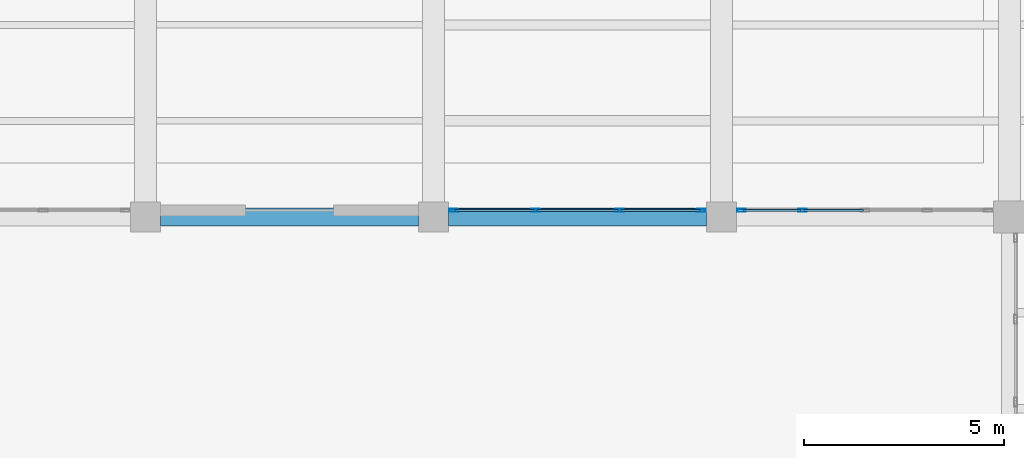
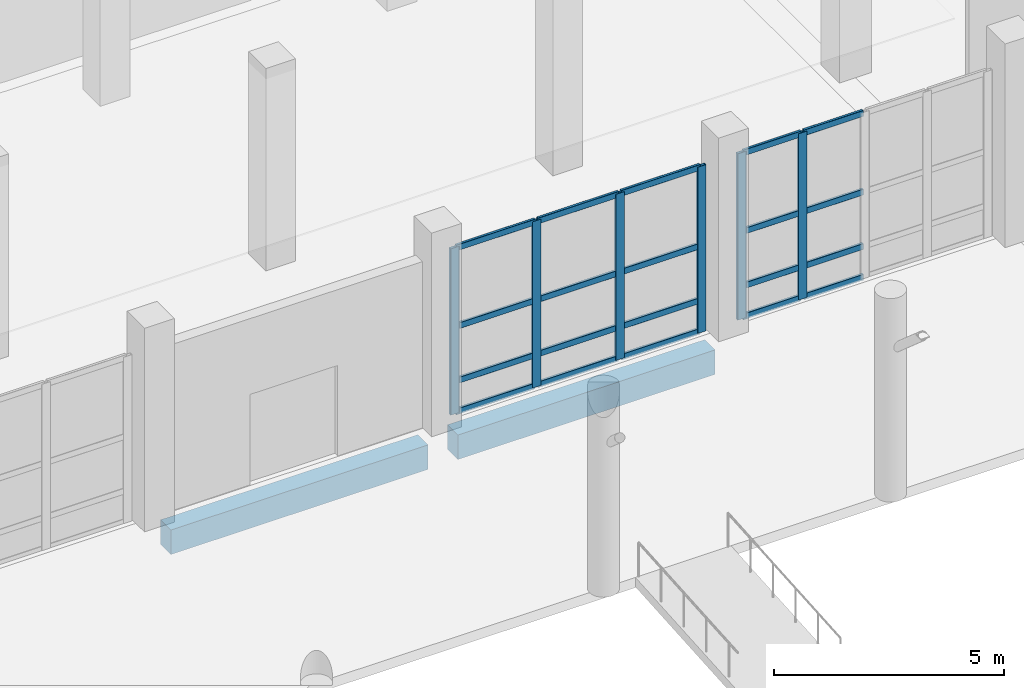
# One storey, part 31 of 137: 26 members, 2 beams, 2 elements without a shape of their own.
"""IFC4 building model written with IfcOpenShell, lengths in metres."""

from ifc_helpers import new_model, si_unit, direction, frame, origin, origin_2d, place, context, subcontext, project, spatial, rectangle, hollow_rectangle, extrude, material, material_profile, profile_set, type_object, element, aggregate, save


model = new_model("IFC4")

# Units and contexts
model_context = context("Model", 3, precision=1e-05, world=origin(), true_north=direction((0.0, 1.0)))
body_context = subcontext(model_context, "Body", "Model", "MODEL_VIEW")
ifc_project = project(units=[si_unit("LENGTHUNIT", "METRE"), si_unit("AREAUNIT", "SQUARE_METRE"), si_unit("VOLUMEUNIT", "CUBIC_METRE"), si_unit("PLANEANGLEUNIT", "RADIAN"), si_unit("MASSUNIT", "GRAM", prefix="KILO")], contexts=[model_context])

# Site, building, storey
site_placement = place(None, origin())
site = spatial("IfcSite", under=ifc_project, at=site_placement, CompositionType="ELEMENT")
building_placement = place(site_placement, origin())
building = spatial("IfcBuilding", under=site, at=building_placement, Name="Kalmorath City Hall", CompositionType="ELEMENT")
storey_placement = place(building_placement, origin())
storey = spatial("IfcBuildingStorey", under=building, at=storey_placement, Name="L00", CompositionType="ELEMENT", Elevation=0.0)

# Beams
ifc_material_1 = material(Name="Concrete C40/50", Category="concrete")
ifc_material_profile_1 = material_profile(ifc_material_1, rectangle(XDim=0.449951171875, YDim=0.64990234375, at=origin_2d()), Name="RC-BM-450X650")
ifc_profile_set_1 = profile_set([ifc_material_profile_1], Name="Concrete C40/50")
beam_type = type_object("IfcBeamType", Name="Concrete spandrel beam 450x650", PredefinedType="SPANDREL", material=ifc_profile_set_1)
for number, where, z_axis, x_axis, name in (
    (1, (93.97509765625, 21.60009765625, -0.62890625), (1.0, 0.0, 0.0), (0.0, 1.0, 0.0), "L00 girder CB5 X14-15/4"),
    (2, (101.175048828125, 21.60009765625, -0.62890625), (1.0, 0.0, 0.0), (0.0, 1.0, 0.0), "L00 girder CB5 X15-16/4"),
):
    element("IfcBeam", number, at=place(storey_placement, frame(where, z_axis=z_axis, x_axis=x_axis)), inside=storey, type_object=beam_type, Name=name, PredefinedType="SPANDREL", context=body_context, shape_type="SweptSolid", body=[
        extrude(rectangle(XDim=0.449951171875, YDim=0.64990234375, at=origin_2d()), origin(), (0.0, 0.0, 1.0), 6.449951171875),
    ])

# Curtain wall, members
ifc_material_2 = material(Name="Anodised aluminium and laminated glass", Category="aluminium")
curtain_wall_type_1 = type_object("IfcCurtainWallType", Name="Unitised hurricane curtain wall 6245x4411 M1500", PredefinedType="NOTDEFINED", material=ifc_material_2)
curtain_wall_1_placement = place(storey_placement, origin())
curtain_wall_1 = element("IfcCurtainWall", 3, at=curtain_wall_1_placement, inside=storey, type_object=curtain_wall_type_1, Name="L00 curtain wall CW-62X44M15 #18", PredefinedType="NOTDEFINED")
ifc_material_3 = material(Name="Anodised aluminium framing", Category="aluminium")
ifc_material_profile_2 = material_profile(ifc_material_3, hollow_rectangle(XDim=0.074951171875, YDim=0.219970703125, WallThickness=0.00390625, InnerFilletRadius=0.00390625, OuterFilletRadius=0.008056640625, at=origin_2d()), Name="ALU-MUL-220X75X4")
ifc_profile_set_2 = profile_set([ifc_material_profile_2], Name="Anodised aluminium framing")
member_type_1 = type_object("IfcMemberType", Name="Curtain-wall primary mullion 220x75", PredefinedType="MULLION", material=ifc_profile_set_2)
member_1_placement = place(storey_placement, frame((110.0263671875, 21.760009765625, 0.0), z_axis=(0.0, 0.0, 1.0), x_axis=(0.0, -1.0, 0.0)))
member_1 = element("IfcMember", 4, at=member_1_placement, type_object=member_type_1, Name="CW-62X44M15 mullion 4", PredefinedType="MULLION", context=body_context, shape_type="SweptSolid", body=[
    extrude(hollow_rectangle(XDim=0.074951171875, YDim=0.219970703125, WallThickness=0.00390625, InnerFilletRadius=0.00390625, OuterFilletRadius=0.008056640625, at=origin_2d()), origin(), (0.0, 0.0, 1.0), 4.410888671875),
])
member_2_placement = place(storey_placement, frame((108.50244140625, 21.760009765625, 0.0), z_axis=(0.0, 0.0, 1.0), x_axis=(0.0, -1.0, 0.0)))
member_2 = element("IfcMember", 5, at=member_2_placement, type_object=member_type_1, Name="CW-62X44M15 mullion 5", PredefinedType="MULLION", context=body_context, shape_type="SweptSolid", body=[
    extrude(hollow_rectangle(XDim=0.074951171875, YDim=0.219970703125, WallThickness=0.00390625, InnerFilletRadius=0.00390625, OuterFilletRadius=0.008056640625, at=origin_2d()), origin(), (0.0, 0.0, 1.0), 4.410888671875),
])

ifc_material_4 = material(Name="Anodised aluminium and laminated glass", Category="aluminium")
curtain_wall_type_2 = type_object("IfcCurtainWallType", Name="Unitised hurricane curtain wall 6270x4411 M2100", PredefinedType="NOTDEFINED", material=ifc_material_4)
curtain_wall_2_placement = place(storey_placement, origin())
curtain_wall_2 = element("IfcCurtainWall", 6, at=curtain_wall_2_placement, inside=storey, type_object=curtain_wall_type_2, Name="L00 curtain wall CW-63X44M21 #19", PredefinedType="NOTDEFINED")
member_3_placement = place(storey_placement, frame((107.49755859375, 21.760009765625, 0.0), z_axis=(0.0, 0.0, 1.0), x_axis=(0.0, -1.0, 0.0)))
member_3 = element("IfcMember", 7, at=member_3_placement, type_object=member_type_1, Name="CW-63X44M21 mullion 1", PredefinedType="MULLION", context=body_context, shape_type="SweptSolid", body=[
    extrude(hollow_rectangle(XDim=0.074951171875, YDim=0.219970703125, WallThickness=0.00390625, InnerFilletRadius=0.00390625, OuterFilletRadius=0.008056640625, at=origin_2d()), origin(), (0.0, 0.0, 1.0), 4.410888671875),
])
member_4_placement = place(storey_placement, frame((105.445068359375, 21.760009765625, 0.0), z_axis=(0.0, 0.0, 1.0), x_axis=(0.0, -1.0, 0.0)))
member_4 = element("IfcMember", 8, at=member_4_placement, type_object=member_type_1, Name="CW-63X44M21 mullion 2", PredefinedType="MULLION", context=body_context, shape_type="SweptSolid", body=[
    extrude(hollow_rectangle(XDim=0.074951171875, YDim=0.219970703125, WallThickness=0.00390625, InnerFilletRadius=0.00390625, OuterFilletRadius=0.008056640625, at=origin_2d()), origin(), (0.0, 0.0, 1.0), 4.410888671875),
])
member_5_placement = place(storey_placement, frame((103.35498046875, 21.760009765625, 0.0), z_axis=(0.0, 0.0, 1.0), x_axis=(0.0, -1.0, 0.0)))
member_5 = element("IfcMember", 9, at=member_5_placement, type_object=member_type_1, Name="CW-63X44M21 mullion 3", PredefinedType="MULLION", context=body_context, shape_type="SweptSolid", body=[
    extrude(hollow_rectangle(XDim=0.074951171875, YDim=0.219970703125, WallThickness=0.00390625, InnerFilletRadius=0.00390625, OuterFilletRadius=0.008056640625, at=origin_2d()), origin(), (0.0, 0.0, 1.0), 4.410888671875),
])
member_6_placement = place(storey_placement, frame((101.302490234375, 21.760009765625, 0.0), z_axis=(0.0, 0.0, 1.0), x_axis=(0.0, -1.0, 0.0)))
member_6 = element("IfcMember", 10, at=member_6_placement, type_object=member_type_1, Name="CW-63X44M21 mullion 4", PredefinedType="MULLION", context=body_context, shape_type="SweptSolid", body=[
    extrude(hollow_rectangle(XDim=0.074951171875, YDim=0.219970703125, WallThickness=0.00390625, InnerFilletRadius=0.00390625, OuterFilletRadius=0.008056640625, at=origin_2d()), origin(), (0.0, 0.0, 1.0), 4.410888671875),
])

# Member
ifc_material_5 = material(Name="Anodised aluminium framing", Category="aluminium")
ifc_material_profile_3 = material_profile(ifc_material_5, hollow_rectangle(XDim=0.06494140625, YDim=0.159912109375, WallThickness=0.00390625, InnerFilletRadius=0.00390625, OuterFilletRadius=0.008056640625, at=origin_2d()), Name="ALU-TRN-160X65X4")
ifc_profile_set_3 = profile_set([ifc_material_profile_3], Name="Anodised aluminium framing")
member_type_2 = type_object("IfcMemberType", Name="Curtain-wall primary transom 160x65", PredefinedType="USERDEFINED", material=ifc_profile_set_3)
member_7_placement = place(storey_placement, frame((111.550048828125, 21.760009765625, 0.032470703125), z_axis=(-1.0, 0.0, 0.0), x_axis=(0.0, -1.0, 0.0)))
member_7 = element("IfcMember", 11, at=member_7_placement, type_object=member_type_2, Name="CW-62X44M15 transom 3.1", ObjectType="TRANSOM", PredefinedType="USERDEFINED", context=body_context, shape_type="SweptSolid", body=[
    extrude(hollow_rectangle(XDim=0.06494140625, YDim=0.159912109375, WallThickness=0.00390625, InnerFilletRadius=0.00390625, OuterFilletRadius=0.008056640625, at=origin_2d()), origin(), (0.0, 0.0, 1.0), 1.486328125),
])

member_8_placement = place(storey_placement, frame((111.550048828125, 21.760009765625, 0.85009765625), z_axis=(-1.0, 0.0, 0.0), x_axis=(0.0, -1.0, 0.0)))
member_8 = element("IfcMember", 12, at=member_8_placement, type_object=member_type_2, Name="CW-62X44M15 transom 3.2", ObjectType="TRANSOM", PredefinedType="USERDEFINED", context=body_context, shape_type="SweptSolid", body=[
    extrude(hollow_rectangle(XDim=0.06494140625, YDim=0.159912109375, WallThickness=0.00390625, InnerFilletRadius=0.00390625, OuterFilletRadius=0.008056640625, at=origin_2d()), origin(), (0.0, 0.0, 1.0), 1.486328125),
])

member_9_placement = place(storey_placement, frame((111.550048828125, 21.760009765625, 2.2939453125), z_axis=(-1.0, 0.0, 0.0), x_axis=(0.0, -1.0, 0.0)))
member_9 = element("IfcMember", 13, at=member_9_placement, type_object=member_type_2, Name="CW-62X44M15 transom 3.3", ObjectType="TRANSOM", PredefinedType="USERDEFINED", context=body_context, shape_type="SweptSolid", body=[
    extrude(hollow_rectangle(XDim=0.06494140625, YDim=0.159912109375, WallThickness=0.00390625, InnerFilletRadius=0.00390625, OuterFilletRadius=0.008056640625, at=origin_2d()), origin(), (0.0, 0.0, 1.0), 1.486328125),
])

member_10_placement = place(storey_placement, frame((111.550048828125, 21.760009765625, 4.37841796875), z_axis=(-1.0, 0.0, 0.0), x_axis=(0.0, -1.0, 0.0)))
member_10 = element("IfcMember", 14, at=member_10_placement, type_object=member_type_2, Name="CW-62X44M15 transom 3.4", ObjectType="TRANSOM", PredefinedType="USERDEFINED", context=body_context, shape_type="SweptSolid", body=[
    extrude(hollow_rectangle(XDim=0.06494140625, YDim=0.159912109375, WallThickness=0.00390625, InnerFilletRadius=0.00390625, OuterFilletRadius=0.008056640625, at=origin_2d()), origin(), (0.0, 0.0, 1.0), 1.486328125),
])

member_11_placement = place(storey_placement, frame((109.98876953125, 21.760009765625, 0.032470703125), z_axis=(-1.0, 0.0, 0.0), x_axis=(0.0, -1.0, 0.0)))
member_11 = element("IfcMember", 15, at=member_11_placement, type_object=member_type_2, Name="CW-62X44M15 transom 4.1", ObjectType="TRANSOM", PredefinedType="USERDEFINED", context=body_context, shape_type="SweptSolid", body=[
    extrude(hollow_rectangle(XDim=0.06494140625, YDim=0.159912109375, WallThickness=0.00390625, InnerFilletRadius=0.00390625, OuterFilletRadius=0.008056640625, at=origin_2d()), origin(), (0.0, 0.0, 1.0), 1.44873046875),
])

member_12_placement = place(storey_placement, frame((109.98876953125, 21.760009765625, 0.85009765625), z_axis=(-1.0, 0.0, 0.0), x_axis=(0.0, -1.0, 0.0)))
member_12 = element("IfcMember", 16, at=member_12_placement, type_object=member_type_2, Name="CW-62X44M15 transom 4.2", ObjectType="TRANSOM", PredefinedType="USERDEFINED", context=body_context, shape_type="SweptSolid", body=[
    extrude(hollow_rectangle(XDim=0.06494140625, YDim=0.159912109375, WallThickness=0.00390625, InnerFilletRadius=0.00390625, OuterFilletRadius=0.008056640625, at=origin_2d()), origin(), (0.0, 0.0, 1.0), 1.44873046875),
])

member_13_placement = place(storey_placement, frame((109.98876953125, 21.760009765625, 2.2939453125), z_axis=(-1.0, 0.0, 0.0), x_axis=(0.0, -1.0, 0.0)))
member_13 = element("IfcMember", 17, at=member_13_placement, type_object=member_type_2, Name="CW-62X44M15 transom 4.3", ObjectType="TRANSOM", PredefinedType="USERDEFINED", context=body_context, shape_type="SweptSolid", body=[
    extrude(hollow_rectangle(XDim=0.06494140625, YDim=0.159912109375, WallThickness=0.00390625, InnerFilletRadius=0.00390625, OuterFilletRadius=0.008056640625, at=origin_2d()), origin(), (0.0, 0.0, 1.0), 1.44873046875),
])

member_14_placement = place(storey_placement, frame((109.98876953125, 21.760009765625, 4.37841796875), z_axis=(-1.0, 0.0, 0.0), x_axis=(0.0, -1.0, 0.0)))
member_14 = element("IfcMember", 18, at=member_14_placement, type_object=member_type_2, Name="CW-62X44M15 transom 4.4", ObjectType="TRANSOM", PredefinedType="USERDEFINED", context=body_context, shape_type="SweptSolid", body=[
    extrude(hollow_rectangle(XDim=0.06494140625, YDim=0.159912109375, WallThickness=0.00390625, InnerFilletRadius=0.00390625, OuterFilletRadius=0.008056640625, at=origin_2d()), origin(), (0.0, 0.0, 1.0), 1.44873046875),
])

aggregate(curtain_wall_1, [member_1, member_2, member_7, member_8, member_9, member_10, member_11, member_12, member_13, member_14])

member_15_placement = place(storey_placement, frame((107.4599609375, 21.760009765625, 0.032470703125), z_axis=(-1.0, 0.0, 0.0), x_axis=(0.0, -1.0, 0.0)))
member_15 = element("IfcMember", 19, at=member_15_placement, type_object=member_type_2, Name="CW-63X44M21 transom 1.1", ObjectType="TRANSOM", PredefinedType="USERDEFINED", context=body_context, shape_type="SweptSolid", body=[
    extrude(hollow_rectangle(XDim=0.06494140625, YDim=0.159912109375, WallThickness=0.00390625, InnerFilletRadius=0.00390625, OuterFilletRadius=0.008056640625, at=origin_2d()), origin(), (0.0, 0.0, 1.0), 1.9775390625),
])

member_16_placement = place(storey_placement, frame((107.4599609375, 21.760009765625, 0.85009765625), z_axis=(-1.0, 0.0, 0.0), x_axis=(0.0, -1.0, 0.0)))
member_16 = element("IfcMember", 20, at=member_16_placement, type_object=member_type_2, Name="CW-63X44M21 transom 1.2", ObjectType="TRANSOM", PredefinedType="USERDEFINED", context=body_context, shape_type="SweptSolid", body=[
    extrude(hollow_rectangle(XDim=0.06494140625, YDim=0.159912109375, WallThickness=0.00390625, InnerFilletRadius=0.00390625, OuterFilletRadius=0.008056640625, at=origin_2d()), origin(), (0.0, 0.0, 1.0), 1.9775390625),
])

member_17_placement = place(storey_placement, frame((107.4599609375, 21.760009765625, 2.2939453125), z_axis=(-1.0, 0.0, 0.0), x_axis=(0.0, -1.0, 0.0)))
member_17 = element("IfcMember", 21, at=member_17_placement, type_object=member_type_2, Name="CW-63X44M21 transom 1.3", ObjectType="TRANSOM", PredefinedType="USERDEFINED", context=body_context, shape_type="SweptSolid", body=[
    extrude(hollow_rectangle(XDim=0.06494140625, YDim=0.159912109375, WallThickness=0.00390625, InnerFilletRadius=0.00390625, OuterFilletRadius=0.008056640625, at=origin_2d()), origin(), (0.0, 0.0, 1.0), 1.9775390625),
])

member_18_placement = place(storey_placement, frame((107.4599609375, 21.760009765625, 4.37841796875), z_axis=(-1.0, 0.0, 0.0), x_axis=(0.0, -1.0, 0.0)))
member_18 = element("IfcMember", 22, at=member_18_placement, type_object=member_type_2, Name="CW-63X44M21 transom 1.4", ObjectType="TRANSOM", PredefinedType="USERDEFINED", context=body_context, shape_type="SweptSolid", body=[
    extrude(hollow_rectangle(XDim=0.06494140625, YDim=0.159912109375, WallThickness=0.00390625, InnerFilletRadius=0.00390625, OuterFilletRadius=0.008056640625, at=origin_2d()), origin(), (0.0, 0.0, 1.0), 1.9775390625),
])

member_19_placement = place(storey_placement, frame((105.407470703125, 21.760009765625, 0.032470703125), z_axis=(-1.0, 0.0, 0.0), x_axis=(0.0, -1.0, 0.0)))
member_19 = element("IfcMember", 23, at=member_19_placement, type_object=member_type_2, Name="CW-63X44M21 transom 2.1", ObjectType="TRANSOM", PredefinedType="USERDEFINED", context=body_context, shape_type="SweptSolid", body=[
    extrude(hollow_rectangle(XDim=0.06494140625, YDim=0.159912109375, WallThickness=0.00390625, InnerFilletRadius=0.00390625, OuterFilletRadius=0.008056640625, at=origin_2d()), origin(), (0.0, 0.0, 1.0), 2.014892578125),
])

member_20_placement = place(storey_placement, frame((105.407470703125, 21.760009765625, 0.85009765625), z_axis=(-1.0, 0.0, 0.0), x_axis=(0.0, -1.0, 0.0)))
member_20 = element("IfcMember", 24, at=member_20_placement, type_object=member_type_2, Name="CW-63X44M21 transom 2.2", ObjectType="TRANSOM", PredefinedType="USERDEFINED", context=body_context, shape_type="SweptSolid", body=[
    extrude(hollow_rectangle(XDim=0.06494140625, YDim=0.159912109375, WallThickness=0.00390625, InnerFilletRadius=0.00390625, OuterFilletRadius=0.008056640625, at=origin_2d()), origin(), (0.0, 0.0, 1.0), 2.014892578125),
])

member_21_placement = place(storey_placement, frame((105.407470703125, 21.760009765625, 2.2939453125), z_axis=(-1.0, 0.0, 0.0), x_axis=(0.0, -1.0, 0.0)))
member_21 = element("IfcMember", 25, at=member_21_placement, type_object=member_type_2, Name="CW-63X44M21 transom 2.3", ObjectType="TRANSOM", PredefinedType="USERDEFINED", context=body_context, shape_type="SweptSolid", body=[
    extrude(hollow_rectangle(XDim=0.06494140625, YDim=0.159912109375, WallThickness=0.00390625, InnerFilletRadius=0.00390625, OuterFilletRadius=0.008056640625, at=origin_2d()), origin(), (0.0, 0.0, 1.0), 2.014892578125),
])

member_22_placement = place(storey_placement, frame((105.407470703125, 21.760009765625, 4.37841796875), z_axis=(-1.0, 0.0, 0.0), x_axis=(0.0, -1.0, 0.0)))
member_22 = element("IfcMember", 26, at=member_22_placement, type_object=member_type_2, Name="CW-63X44M21 transom 2.4", ObjectType="TRANSOM", PredefinedType="USERDEFINED", context=body_context, shape_type="SweptSolid", body=[
    extrude(hollow_rectangle(XDim=0.06494140625, YDim=0.159912109375, WallThickness=0.00390625, InnerFilletRadius=0.00390625, OuterFilletRadius=0.008056640625, at=origin_2d()), origin(), (0.0, 0.0, 1.0), 2.014892578125),
])

member_23_placement = place(storey_placement, frame((103.3173828125, 21.760009765625, 0.032470703125), z_axis=(-1.0, 0.0, 0.0), x_axis=(0.0, -1.0, 0.0)))
member_23 = element("IfcMember", 27, at=member_23_placement, type_object=member_type_2, Name="CW-63X44M21 transom 3.1", ObjectType="TRANSOM", PredefinedType="USERDEFINED", context=body_context, shape_type="SweptSolid", body=[
    extrude(hollow_rectangle(XDim=0.06494140625, YDim=0.159912109375, WallThickness=0.00390625, InnerFilletRadius=0.00390625, OuterFilletRadius=0.008056640625, at=origin_2d()), origin(), (0.0, 0.0, 1.0), 1.977294921875),
])

member_24_placement = place(storey_placement, frame((103.3173828125, 21.760009765625, 0.85009765625), z_axis=(-1.0, 0.0, 0.0), x_axis=(0.0, -1.0, 0.0)))
member_24 = element("IfcMember", 28, at=member_24_placement, type_object=member_type_2, Name="CW-63X44M21 transom 3.2", ObjectType="TRANSOM", PredefinedType="USERDEFINED", context=body_context, shape_type="SweptSolid", body=[
    extrude(hollow_rectangle(XDim=0.06494140625, YDim=0.159912109375, WallThickness=0.00390625, InnerFilletRadius=0.00390625, OuterFilletRadius=0.008056640625, at=origin_2d()), origin(), (0.0, 0.0, 1.0), 1.977294921875),
])

member_25_placement = place(storey_placement, frame((103.3173828125, 21.760009765625, 2.2939453125), z_axis=(-1.0, 0.0, 0.0), x_axis=(0.0, -1.0, 0.0)))
member_25 = element("IfcMember", 29, at=member_25_placement, type_object=member_type_2, Name="CW-63X44M21 transom 3.3", ObjectType="TRANSOM", PredefinedType="USERDEFINED", context=body_context, shape_type="SweptSolid", body=[
    extrude(hollow_rectangle(XDim=0.06494140625, YDim=0.159912109375, WallThickness=0.00390625, InnerFilletRadius=0.00390625, OuterFilletRadius=0.008056640625, at=origin_2d()), origin(), (0.0, 0.0, 1.0), 1.977294921875),
])

member_26_placement = place(storey_placement, frame((103.3173828125, 21.760009765625, 4.37841796875), z_axis=(-1.0, 0.0, 0.0), x_axis=(0.0, -1.0, 0.0)))
member_26 = element("IfcMember", 30, at=member_26_placement, type_object=member_type_2, Name="CW-63X44M21 transom 3.4", ObjectType="TRANSOM", PredefinedType="USERDEFINED", context=body_context, shape_type="SweptSolid", body=[
    extrude(hollow_rectangle(XDim=0.06494140625, YDim=0.159912109375, WallThickness=0.00390625, InnerFilletRadius=0.00390625, OuterFilletRadius=0.008056640625, at=origin_2d()), origin(), (0.0, 0.0, 1.0), 1.977294921875),
])

aggregate(curtain_wall_2, [member_3, member_4, member_5, member_6, member_15, member_16, member_17, member_18, member_19, member_20, member_21, member_22, member_23, member_24, member_25, member_26])

save(model, "model.ifc")
